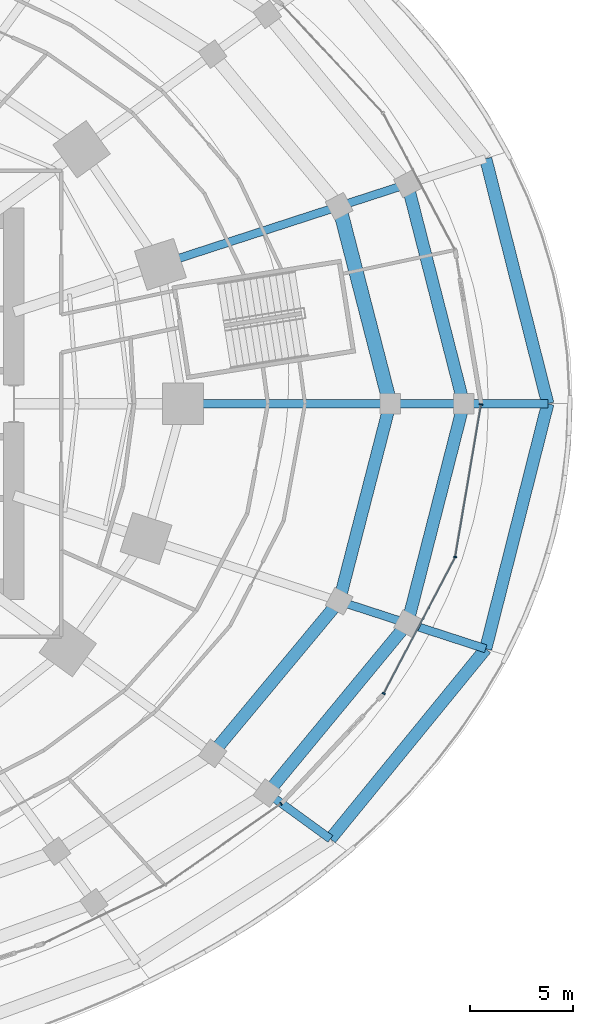
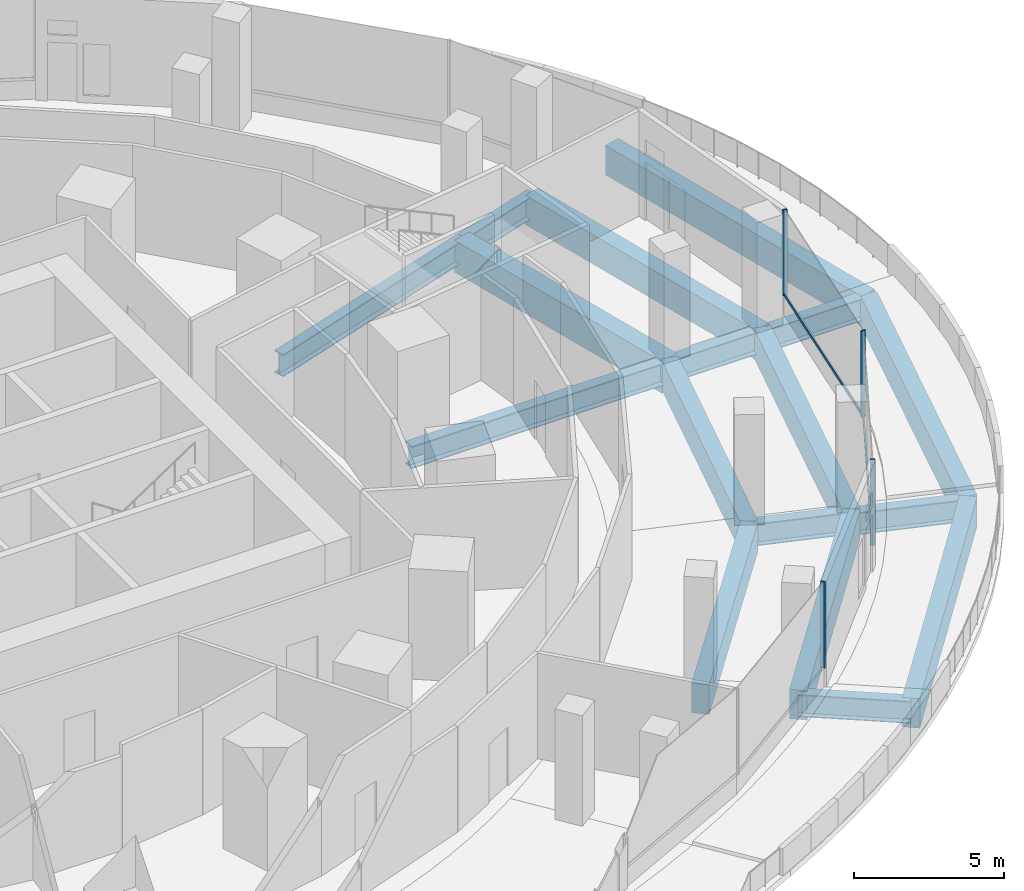
# One storey, part 14 of 27: 17 beams, 6 members, 2 elements without a shape of their own.
"""IFC4 building model written with IfcOpenShell, lengths in metres."""

from ifc_helpers import new_model, si_unit, direction, frame, origin, origin_2d, place, context, subcontext, project, spatial, rectangle, i_section, extrude, material, material_profile, profile_set, type_object, element, aggregate, save


model = new_model("IFC4")

# Units and contexts
model_context = context("Model", 3, precision=1e-05, world=origin(), true_north=direction((0.0, 1.0)))
body_context = subcontext(model_context, "Body", "Model", "MODEL_VIEW")
ifc_project = project(units=[si_unit("LENGTHUNIT", "METRE"), si_unit("AREAUNIT", "SQUARE_METRE"), si_unit("VOLUMEUNIT", "CUBIC_METRE"), si_unit("PLANEANGLEUNIT", "RADIAN"), si_unit("MASSUNIT", "GRAM", prefix="KILO")], contexts=[model_context])

# Site, building, storey
site_placement = place(None, origin())
site = spatial("IfcSite", under=ifc_project, at=site_placement, CompositionType="ELEMENT")
building_placement = place(site_placement, origin())
building = spatial("IfcBuilding", under=site, at=building_placement, Name="Marramba Exchange Tower", CompositionType="ELEMENT")
storey_placement = place(building_placement, frame((0.0, 0.0, 10.60009765625)))
storey = spatial("IfcBuildingStorey", under=building, at=storey_placement, Name="L02", CompositionType="ELEMENT", Elevation=10.60009765625)

# Beams
ifc_material_1 = material(Name="Concrete N50", Category="concrete")
ifc_material_profile_1 = material_profile(ifc_material_1, rectangle(XDim=0.60009765625, YDim=1.199951171875, at=origin_2d()), Name="RC 600x1200")
ifc_profile_set_1 = profile_set([ifc_material_profile_1], Name="Concrete N50")
beam_type_1 = type_object("IfcBeamType", Name="Edge beam RC 600x1200 N50", PredefinedType="SPANDREL", material=ifc_profile_set_1)
beam_1_placement = place(storey_placement, frame((39.60009765625, 0.0, -0.85009765625), z_axis=(-0.245536956623, 0.969387230642, 0.0), x_axis=(-0.969387230642, -0.245536956623, 0.0)))
element("IfcBeam", 1, at=beam_1_placement, inside=storey, type_object=beam_type_1, Name="Edge beam L02 P1C01", PredefinedType="SPANDREL", context=body_context, shape_type="SweptSolid", body=[
    extrude(rectangle(XDim=0.60009765625, YDim=1.199951171875, at=origin_2d()), origin(), (0.0, 0.0, 1.0), 12.263916015625),
])
beam_2_placement = place(storey_placement, frame((29.057373046875, -21.111328125, -0.85009765625), z_axis=(0.632507305582, 0.774554393432, 0.0), x_axis=(-0.774554393432, 0.632507305582, 0.0)))
element("IfcBeam", 2, at=beam_2_placement, inside=storey, type_object=beam_type_1, Name="Edge beam L02 P1C19", PredefinedType="SPANDREL", context=body_context, shape_type="SweptSolid", body=[
    extrude(rectangle(XDim=0.60009765625, YDim=1.199951171875, at=origin_2d()), origin(), (0.0, 0.0, 1.0), 11.907470703125),
])
beam_3_placement = place(storey_placement, frame((36.5888671875, -11.888427734375, -0.85009765625), z_axis=(0.245536956623, 0.969387230642, 0.0), x_axis=(-0.969387230642, 0.245536956623, 0.0)))
element("IfcBeam", 3, at=beam_3_placement, inside=storey, type_object=beam_type_1, Name="Edge beam L02 P1C20", PredefinedType="SPANDREL", context=body_context, shape_type="SweptSolid", body=[
    extrude(rectangle(XDim=0.60009765625, YDim=1.199951171875, at=origin_2d()), origin(), (0.0, 0.0, 1.0), 12.263916015625),
])
beam_4_placement = place(storey_placement, frame((35.52001953125, 0.0, -0.800048828125), z_axis=(-0.24788024769, 0.968790680594, 0.0), x_axis=(-0.968790680594, -0.24788024769, 0.0)))
element("IfcBeam", 4, at=beam_4_placement, inside=storey, type_object=beam_type_1, Name="Edge beam L02 P2C01", PredefinedType="SPANDREL", context=body_context, shape_type="SweptSolid", body=[
    extrude(rectangle(XDim=0.60009765625, YDim=1.199951171875, at=origin_2d()), origin(), (0.0, 0.0, 1.0), 10.99853515625),
])
beam_5_placement = place(storey_placement, frame((25.99658203125, -18.8876953125, -0.800048828125), z_axis=(0.636682264125, 0.77112625072, 0.0), x_axis=(-0.77112625072, 0.636682264125, 0.0)))
element("IfcBeam", 5, at=beam_5_placement, inside=storey, type_object=beam_type_1, Name="Edge beam L02 P2C19", PredefinedType="SPANDREL", context=body_context, shape_type="SweptSolid", body=[
    extrude(rectangle(XDim=0.60009765625, YDim=1.199951171875, at=origin_2d()), origin(), (0.0, 0.0, 1.0), 10.67578125),
])
beam_6_placement = place(storey_placement, frame((32.793701171875, -10.6552734375, -0.800048828125), z_axis=(0.24788024769, 0.968790680594, 0.0), x_axis=(-0.968790680594, 0.24788024769, 0.0)))
element("IfcBeam", 6, at=beam_6_placement, inside=storey, type_object=beam_type_1, Name="Edge beam L02 P2C20", PredefinedType="SPANDREL", context=body_context, shape_type="SweptSolid", body=[
    extrude(rectangle(XDim=0.60009765625, YDim=1.199951171875, at=origin_2d()), origin(), (0.0, 0.0, 1.0), 10.99853515625),
])
beam_7_placement = place(storey_placement, frame((23.34228515625, -16.959228515625, -0.800048828125), z_axis=(0.639553814052, 0.768746329377, 0.0), x_axis=(-0.768746329377, 0.639553814052, 0.0)))
element("IfcBeam", 7, at=beam_7_placement, inside=storey, type_object=beam_type_1, Name="Edge beam L02 P3C19", PredefinedType="SPANDREL", context=body_context, shape_type="SweptSolid", body=[
    extrude(rectangle(XDim=0.60009765625, YDim=1.199951171875, at=origin_2d()), origin(), (0.0, 0.0, 1.0), 9.599853515625),
])
beam_8_placement = place(storey_placement, frame((29.48193359375, -9.579345703125, -0.800048828125), z_axis=(0.249492097231, 0.968376834409, 0.0), x_axis=(-0.968376834409, 0.249492097231, 0.0)))
element("IfcBeam", 8, at=beam_8_placement, inside=storey, type_object=beam_type_1, Name="Edge beam L02 P3C20", PredefinedType="SPANDREL", context=body_context, shape_type="SweptSolid", body=[
    extrude(rectangle(XDim=0.60009765625, YDim=1.199951171875, at=origin_2d()), origin(), (0.0, 0.0, 1.0), 9.89208984375),
])
ifc_material_profile_2 = material_profile(ifc_material_1, rectangle(XDim=0.699951171875, YDim=1.300048828125, at=origin_2d()), Name="RC 700x1300")
ifc_profile_set_2 = profile_set([ifc_material_profile_2], Name="Concrete N50")
beam_type_2 = type_object("IfcBeamType", Name="Edge beam RC 700x1300 N50", PredefinedType="SPANDREL", material=ifc_profile_set_2)
beam_9_placement = place(storey_placement, frame((31.949951171875, 0.0, -0.85009765625), z_axis=(-0.249492097231, 0.968376834409, 0.0), x_axis=(-0.968376834409, -0.249492097231, 0.0)))
element("IfcBeam", 9, at=beam_9_placement, inside=storey, type_object=beam_type_2, Name="Edge beam L02 P3C01", PredefinedType="SPANDREL", context=body_context, shape_type="SweptSolid", body=[
    extrude(rectangle(XDim=0.699951171875, YDim=1.300048828125, at=origin_2d()), origin(), (0.0, 0.0, 1.0), 9.89208984375),
])

# Curtain wall, member
ifc_material_2 = material(Name="Aluminium framing, bronze anodised", Category="aluminium")
curtain_wall_type = type_object("IfcCurtainWallType", Name="Podium ribbon curtain wall", PredefinedType="USERDEFINED", material=ifc_material_2)
curtain_wall_1_placement = place(storey_placement, origin())
curtain_wall_1 = element("IfcCurtainWall", 10, at=curtain_wall_1_placement, inside=storey, type_object=curtain_wall_type, Name="Curtain wall CW2 L02 F26-F27", ObjectType="RIBBON CURTAIN WALL", PredefinedType="USERDEFINED")
ifc_material_3 = material(Name="Aluminium mullion, bronze anodised", Category="aluminium")
ifc_material_profile_3 = material_profile(ifc_material_3, rectangle(XDim=0.159912109375, YDim=0.06005859375, at=origin_2d()), Name="CW2 mullion 60x160")
ifc_profile_set_3 = profile_set([ifc_material_profile_3], Name="Aluminium mullion, bronze anodised")
member_type_1 = type_object("IfcMemberType", Name="Podium ribbon curtain wall mullion", PredefinedType="MULLION", material=ifc_profile_set_3)
member_1_placement = place(storey_placement, frame((26.65966796875, -19.404296875, 0.7998046875), z_axis=(0.0, 0.0, 1.0), x_axis=(-0.573199309279, 0.819415982174, 0.0)))
member_1 = element("IfcMember", 11, at=member_1_placement, type_object=member_type_1, Name="CW2 mullion 2", PredefinedType="MULLION", context=body_context, shape_type="SweptSolid", body=[
    extrude(rectangle(XDim=0.159912109375, YDim=0.06005859375, at=origin_2d()), origin(), (0.0, 0.0, 1.0), 3.5),
])
aggregate(curtain_wall_1, [member_1])

# Curtain wall, members
curtain_wall_2_placement = place(storey_placement, origin())
curtain_wall_2 = element("IfcCurtainWall", 12, at=curtain_wall_2_placement, inside=storey, type_object=curtain_wall_type, Name="Curtain wall CW2 L02 F29-F30", ObjectType="RIBBON CURTAIN WALL", PredefinedType="USERDEFINED")
member_2_placement = place(storey_placement, frame((31.642822265625, -14.055419921875, 0.7998046875), z_axis=(0.0, 0.0, 1.0), x_axis=(-0.885353208693, 0.464919020753, 0.0)))
member_2 = element("IfcMember", 13, at=member_2_placement, type_object=member_type_1, Name="CW2 mullion 1", PredefinedType="MULLION", context=body_context, shape_type="SweptSolid", body=[
    extrude(rectangle(XDim=0.159912109375, YDim=0.06005859375, at=origin_2d()), origin(), (0.0, 0.0, 1.0), 3.5),
])
member_3_placement = place(storey_placement, frame((35.110107421875, -7.432373046875, 0.7998046875), z_axis=(0.0, 0.0, 1.0), x_axis=(-0.985936946269, 0.167117736888, 0.0)))
member_3 = element("IfcMember", 14, at=member_3_placement, type_object=member_type_1, Name="CW2 mullion 1", PredefinedType="MULLION", context=body_context, shape_type="SweptSolid", body=[
    extrude(rectangle(XDim=0.159912109375, YDim=0.06005859375, at=origin_2d()), origin(), (0.0, 0.0, 1.0), 3.5),
])
member_4_placement = place(storey_placement, frame((36.364990234375, -0.029541015625, 0.7998046875), z_axis=(0.0, 0.0, 1.0), x_axis=(-0.985936946269, 0.167117736888, 0.0)))
member_4 = element("IfcMember", 15, at=member_4_placement, type_object=member_type_1, Name="CW2 mullion 2", PredefinedType="MULLION", context=body_context, shape_type="SweptSolid", body=[
    extrude(rectangle(XDim=0.159912109375, YDim=0.06005859375, at=origin_2d()), origin(), (0.0, 0.0, 1.0), 3.5),
])
ifc_material_4 = material(Name="Aluminium transom, bronze anodised", Category="aluminium")
ifc_material_profile_4 = material_profile(ifc_material_4, rectangle(XDim=0.06005859375, YDim=0.1201171875, at=origin_2d()), Name="CW2 transom 60x120")
ifc_profile_set_4 = profile_set([ifc_material_profile_4], Name="Aluminium transom, bronze anodised")
member_type_2 = type_object("IfcMemberType", Name="Podium ribbon curtain wall transom", PredefinedType="USERDEFINED", material=ifc_profile_set_4)
member_5_placement = place(storey_placement, frame((31.65673828125, -14.02880859375, 0.829833984375), z_axis=(0.464925497507, 0.885349807572, 0.0), x_axis=(-0.885349807572, 0.464925497507, 0.0)))
member_5 = element("IfcMember", 16, at=member_5_placement, type_object=member_type_2, Name="CW2 sill transom", ObjectType="TRANSOM", PredefinedType="USERDEFINED", context=body_context, shape_type="SweptSolid", body=[
    extrude(rectangle(XDim=0.06005859375, YDim=0.1201171875, at=origin_2d()), origin(), (0.0, 0.0, 1.0), 7.417236328125),
])
member_6_placement = place(storey_placement, frame((35.115234375, -7.402587890625, 0.829833984375), z_axis=(0.167103909701, 0.985939289897, 0.0), x_axis=(-0.985939289897, 0.167103909701, 0.0)))
member_6 = element("IfcMember", 17, at=member_6_placement, type_object=member_type_2, Name="CW2 sill transom", ObjectType="TRANSOM", PredefinedType="USERDEFINED", context=body_context, shape_type="SweptSolid", body=[
    extrude(rectangle(XDim=0.06005859375, YDim=0.1201171875, at=origin_2d()), origin(), (0.0, 0.0, 1.0), 7.4482421875),
])
aggregate(curtain_wall_2, [member_2, member_5, member_3, member_4, member_6])

# Beams
ifc_material_5 = material(Name="Steel AS/NZS 3679.2 grade 300", Category="steel")
ifc_material_profile_5 = material_profile(ifc_material_5, i_section(OverallWidth=0.39990234375, OverallDepth=0.89990234375, WebThickness=0.01611328125, FlangeThickness=0.031982421875, at=origin_2d()), Name="900WB282")
ifc_profile_set_5 = profile_set([ifc_material_profile_5], Name="Steel AS/NZS 3679.2 grade 300")
beam_type_3 = type_object("IfcBeamType", Name="Radial girder 900WB282", PredefinedType="BEAM", material=ifc_profile_set_5)
beam_10_placement = place(storey_placement, frame((39.60009765625, 0.0, -0.7001953125), z_axis=(-1.0, 0.0, 0.0), x_axis=(0.0, -1.0, 0.0)))
element("IfcBeam", 18, at=beam_10_placement, inside=storey, type_object=beam_type_3, Name="Radial girder L02 P1C01", PredefinedType="BEAM", context=body_context, shape_type="SweptSolid", body=[
    extrude(i_section(OverallWidth=0.39990234375, OverallDepth=0.89990234375, WebThickness=0.01611328125, FlangeThickness=0.031982421875, at=origin_2d()), origin(), (0.0, 0.0, 1.0), 4.080078125),
])
beam_11_placement = place(storey_placement, frame((29.057373046875, -21.111328125, -0.7001953125), z_axis=(-0.809037359893, 0.58775722054, 0.0), x_axis=(-0.58775722054, -0.809037359893, 0.0)))
element("IfcBeam", 19, at=beam_11_placement, inside=storey, type_object=beam_type_3, Name="Radial girder L02 P1C19", PredefinedType="BEAM", context=body_context, shape_type="SweptSolid", body=[
    extrude(i_section(OverallWidth=0.39990234375, OverallDepth=0.89990234375, WebThickness=0.01611328125, FlangeThickness=0.031982421875, at=origin_2d()), origin(), (0.0, 0.0, 1.0), 3.783203125),
])
beam_12_placement = place(storey_placement, frame((36.5888671875, -11.888427734375, -0.7001953125), z_axis=(-0.951054298871, 0.309023818822, 0.0), x_axis=(-0.309023818822, -0.951054298871, 0.0)))
element("IfcBeam", 20, at=beam_12_placement, inside=storey, type_object=beam_type_3, Name="Radial girder L02 P1C20", PredefinedType="BEAM", context=body_context, shape_type="SweptSolid", body=[
    extrude(i_section(OverallWidth=0.39990234375, OverallDepth=0.89990234375, WebThickness=0.01611328125, FlangeThickness=0.031982421875, at=origin_2d()), origin(), (0.0, 0.0, 1.0), 3.990478515625),
])
beam_13_placement = place(storey_placement, frame((35.52001953125, 0.0, -0.650146484375), z_axis=(-1.0, 0.0, 0.0), x_axis=(0.0, -1.0, 0.0)))
element("IfcBeam", 21, at=beam_13_placement, inside=storey, type_object=beam_type_3, Name="Radial girder L02 P2C01", PredefinedType="BEAM", context=body_context, shape_type="SweptSolid", body=[
    extrude(i_section(OverallWidth=0.39990234375, OverallDepth=0.89990234375, WebThickness=0.01611328125, FlangeThickness=0.031982421875, at=origin_2d()), origin(), (0.0, 0.0, 1.0), 3.570068359375),
])
for number, where, z_axis, x_axis, name in (
    (22, (32.793701171875, 10.6552734375, -0.650146484375), (-0.951067553557, -0.308983023113, 0.0), (0.308983023113, -0.951067553557, 0.0), "Radial girder L02 P2C02"),
    (23, (32.793701171875, -10.6552734375, -0.650146484375), (-0.951067553557, 0.308983023113, 0.0), (-0.308983023113, -0.951067553557, 0.0), "Radial girder L02 P2C20"),
):
    element("IfcBeam", number, at=place(storey_placement, frame(where, z_axis=z_axis, x_axis=x_axis)), inside=storey, type_object=beam_type_3, Name=name, PredefinedType="BEAM", context=body_context, shape_type="SweptSolid", body=[
        extrude(i_section(OverallWidth=0.39990234375, OverallDepth=0.89990234375, WebThickness=0.01611328125, FlangeThickness=0.031982421875, at=origin_2d()), origin(), (0.0, 0.0, 1.0), 3.482177734375),
    ])
beam_14_placement = place(storey_placement, frame((31.949951171875, 0.0, -0.650146484375), z_axis=(-1.0, 0.0, 0.0), x_axis=(0.0, -1.0, 0.0)))
element("IfcBeam", 24, at=beam_14_placement, inside=storey, type_object=beam_type_3, Name="Radial girder L02 P3C01", PredefinedType="BEAM", context=body_context, shape_type="SweptSolid", body=[
    extrude(i_section(OverallWidth=0.39990234375, OverallDepth=0.89990234375, WebThickness=0.01611328125, FlangeThickness=0.031982421875, at=origin_2d()), origin(), (0.0, 0.0, 1.0), 10.050048828125),
])
beam_15_placement = place(storey_placement, frame((29.48193359375, 9.579345703125, -0.650146484375), z_axis=(-0.95105196918, -0.309030988606, 0.0), x_axis=(0.309030988606, -0.95105196918, 0.0)))
element("IfcBeam", 25, at=beam_15_placement, inside=storey, type_object=beam_type_3, Name="Radial girder L02 P3C02", PredefinedType="BEAM", context=body_context, shape_type="SweptSolid", body=[
    extrude(i_section(OverallWidth=0.39990234375, OverallDepth=0.89990234375, WebThickness=0.01611328125, FlangeThickness=0.031982421875, at=origin_2d()), origin(), (0.0, 0.0, 1.0), 9.119873046875),
])

save(model, "model.ifc")
